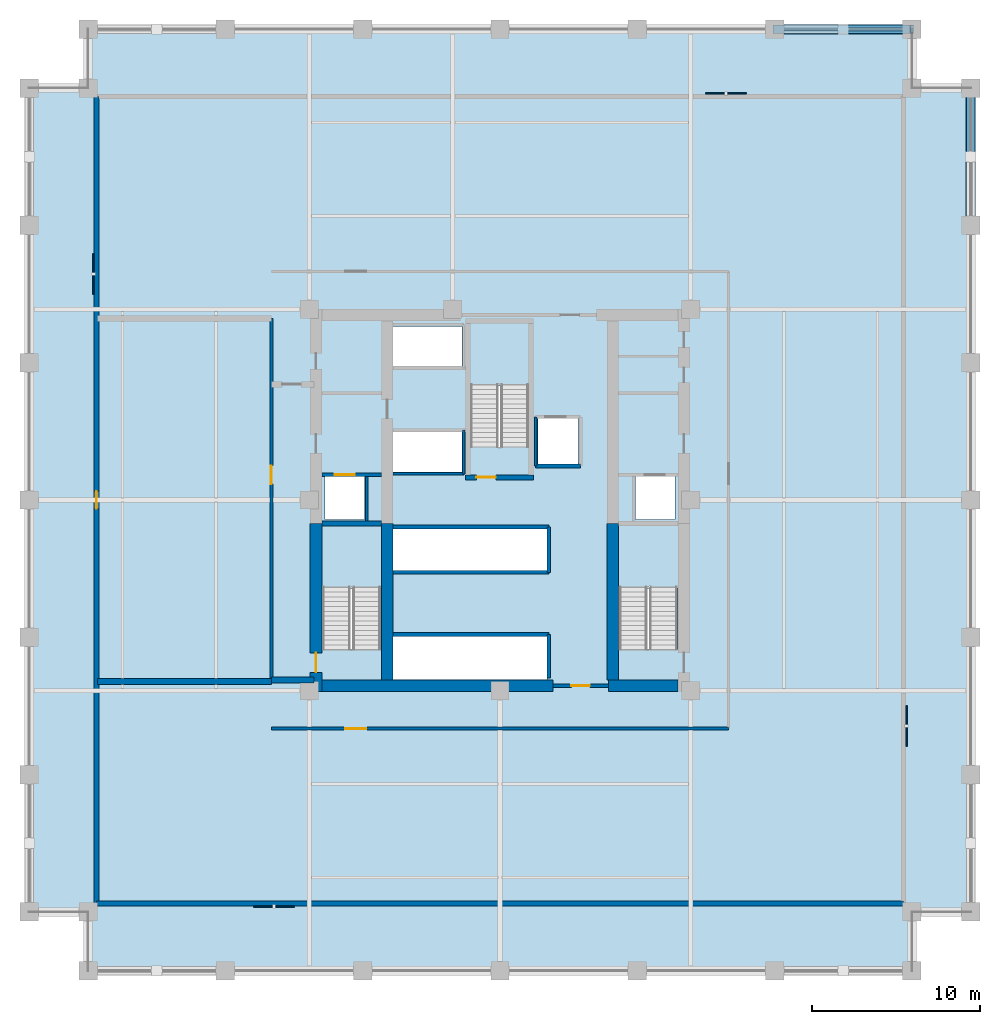
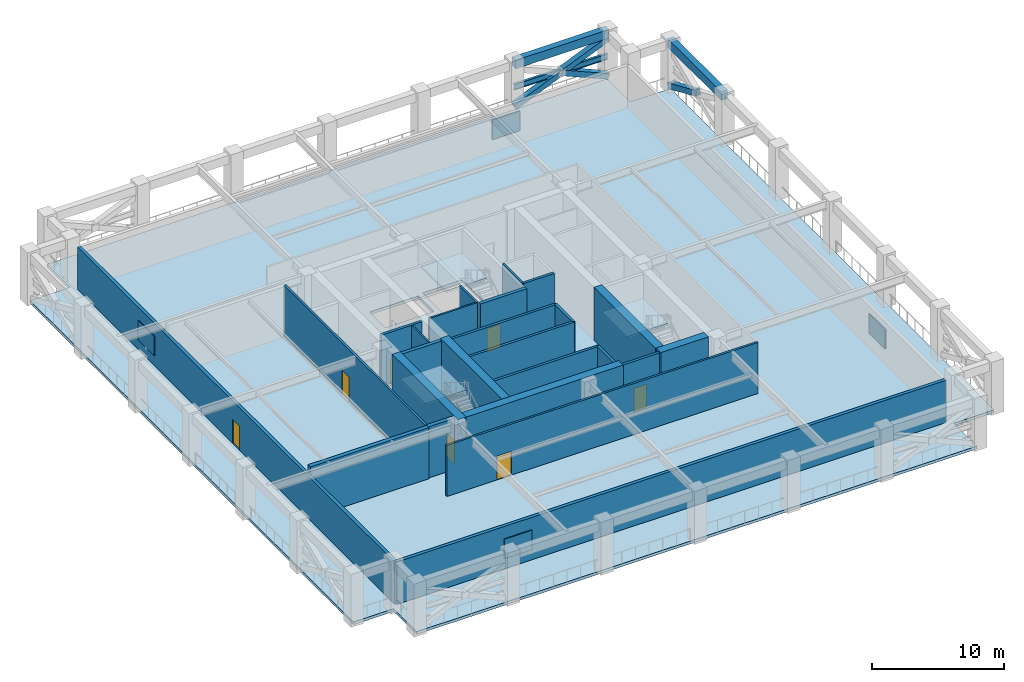
# One storey, part 2 of 11: 25 walls, 7 doors, 4 plates, 4 slabs, 3 beams, 3 members, 7 openings, 3 elements without a shape of their own.
"""IFC4 building model written with IfcOpenShell, lengths in metres."""

from ifc_helpers import new_model, si_unit, direction, frame, frame_2d, origin, origin_2d, place, context, subcontext, project, spatial, polyline, rectangle, hollow_rectangle, i_section, outline, extrude, material, layer, layer_set, material_profile, profile_set, type_object, element, fill, aggregate, save


model = new_model("IFC4")

# Units and contexts
model_context = context("Model", 3, precision=1e-05, world=origin(), true_north=direction((0.0, 1.0)))
body_context = subcontext(model_context, "Body", "Model", "MODEL_VIEW")
ifc_project = project(units=[si_unit("LENGTHUNIT", "METRE"), si_unit("AREAUNIT", "SQUARE_METRE"), si_unit("VOLUMEUNIT", "CUBIC_METRE"), si_unit("PLANEANGLEUNIT", "RADIAN"), si_unit("MASSUNIT", "GRAM", prefix="KILO")], contexts=[model_context])

# Site, building, storey
site_placement = place(None, origin())
site = spatial("IfcSite", under=ifc_project, at=site_placement, CompositionType="ELEMENT")
building_placement = place(site_placement, origin())
building = spatial("IfcBuilding", under=site, at=building_placement, Name="Nhamokura Convention Tower", CompositionType="ELEMENT")
storey_placement = place(building_placement, frame((0.0, 0.0, 77.35009765625)))
storey = spatial("IfcBuildingStorey", under=building, at=storey_placement, Name="L18", CompositionType="ELEMENT", Elevation=77.35009765625)

# Members
ifc_material_1 = material(Name="Steel ASTM A572 Gr 50", Category="steel")
ifc_material_profile_1 = material_profile(ifc_material_1, hollow_rectangle(XDim=0.5, YDim=0.5, WallThickness=0.02490234375, at=origin_2d()))
ifc_profile_set_1 = profile_set([ifc_material_profile_1], Name="Steel ASTM A572 Gr 50")
member_type = type_object("IfcMemberType", Name="OutriggerBrace_HSS500", PredefinedType="BRACE", material=ifc_profile_set_1)
member_placement = place(storey_placement, frame((48.333251953125, 60.0, 0.349853515625), z_axis=(0.918329419964, 0.0, 0.395816973395), x_axis=(0.0, 1.0, 0.0)))
element("IfcMember", 1, at=member_placement, inside=storey, type_object=member_type, Name="L18 Continuous Outrigger Diagonal OUT-N5-1", PredefinedType="BRACE", context=body_context, shape_type="SweptSolid", body=[
    extrude(hollow_rectangle(XDim=0.5, YDim=0.5, WallThickness=0.02490234375, at=origin_2d()), origin(), (0.0, 0.0, 1.0), 8.89306640625),
])
for number, where, z_axis, x_axis, name in (
    (2, (52.416748046875, 60.0, 2.10986328125), (0.918325118715, 0.0, -0.395826952515), (0.0, 1.0, 0.0), "L18 Split Outrigger Diagonal OUT-N5-2B"),
    (3, (60.0, 52.416748046875, 2.10986328125), (0.0, 0.918325118715, -0.395826952515), (-1.0, 0.0, 0.0), "L18 Split Outrigger Diagonal OUT-E5-2B"),
):
    element("IfcMember", number, at=place(storey_placement, frame(where, z_axis=z_axis, x_axis=x_axis)), inside=storey, type_object=member_type, Name=name, PredefinedType="BRACE", context=body_context, shape_type="SweptSolid", body=[
        extrude(hollow_rectangle(XDim=0.5, YDim=0.5, WallThickness=0.02490234375, at=origin_2d()), origin(), (0.0, 0.0, 1.0), 4.446533203125),
    ])

# Beams
ifc_material_2 = material(Name="Steel ASTM A992 Gr 50", Category="steel")
ifc_material_profile_2 = material_profile(ifc_material_2, i_section(OverallWidth=0.208984375, OverallDepth=0.532958984375, WebThickness=0.01025390625, FlangeThickness=0.015625, at=origin_2d()))
ifc_profile_set_2 = profile_set([ifc_material_profile_2], Name="Steel ASTM A992 Gr 50")
beam_type_1 = type_object("IfcBeamType", Name="PrimaryGirder_W530X92", PredefinedType="BEAM", material=ifc_profile_set_2)
beam_placement = place(storey_placement, frame((48.333251953125, 60.0, 2.10986328125), z_axis=(1.0, 0.0, 0.0), x_axis=(0.0, 1.0, 0.0)))
element("IfcBeam", 4, at=beam_placement, inside=storey, type_object=beam_type_1, Name="L18 Outrigger X-Brace Node Tie Beam OUT-N5", PredefinedType="BEAM", context=body_context, shape_type="SweptSolid", body=[
    extrude(i_section(OverallWidth=0.208984375, OverallDepth=0.532958984375, WebThickness=0.01025390625, FlangeThickness=0.015625, at=origin_2d()), origin(), (0.0, 0.0, 1.0), 8.166748046875),
])
ifc_material_3 = material(Name="Concrete C50/60", Category="concrete")
ifc_material_profile_3 = material_profile(ifc_material_3, rectangle(XDim=0.550048828125, YDim=0.800048828125, at=origin_2d()))
ifc_profile_set_3 = profile_set([ifc_material_profile_3], Name="Concrete C50/60")
beam_type_2 = type_object("IfcBeamType", Name="TubeSpandrel_800", PredefinedType="SPANDREL", material=ifc_profile_set_3)
for number, where, z_axis, x_axis, name in (
    (5, (48.333251953125, 60.0, 4.31982421875), (1.0, 0.0, 0.0), (0.0, 1.0, 0.0), "L18 Perimeter Spandrel NORTH 6"),
    (6, (60.0, 48.333251953125, 4.31982421875), (0.0, 1.0, 0.0), (-1.0, 0.0, 0.0), "L18 Perimeter Spandrel EAST 6"),
):
    element("IfcBeam", number, at=place(storey_placement, frame(where, z_axis=z_axis, x_axis=x_axis)), inside=storey, type_object=beam_type_2, Name=name, PredefinedType="SPANDREL", context=body_context, shape_type="SweptSolid", body=[
        extrude(rectangle(XDim=0.550048828125, YDim=0.800048828125, at=origin_2d()), origin(), (0.0, 0.0, 1.0), 8.166748046875),
    ])

# Plates
ifc_material_4 = material(Name="Anodised bronze aluminium AA6063-T6", Category="aluminium")
ifc_layer_1 = layer(ifc_material_4, 0.0849609375)
ifc_layer_set_1 = layer_set([ifc_layer_1], Name="AcousticLouvrePlate_1")
plate_type = type_object("IfcPlateType", Name="AcousticLouvrePlate_1", PredefinedType="USERDEFINED", material=ifc_layer_set_1)
for number, where, z_axis, x_axis, name in (
    (7, (18.56005859375, 7.8173828125, 1.0), (0.0, 0.0, 1.0), (-1.0, 0.0, 0.0), "L18 Plant Acoustic Louvre S"),
    (8, (56.1826171875, 18.56005859375, 1.0), (0.0, 0.0, 1.0), (0.0, -1.0, 0.0), "L18 Plant Acoustic Louvre E"),
    (9, (45.43994140625, 56.1826171875, 1.0), (0.0, 0.0, 1.0), (1.0, 0.0, 0.0), "L18 Plant Acoustic Louvre N"),
    (10, (7.8173828125, 45.43994140625, 1.0), (0.0, 0.0, 1.0), (0.0, 1.0, 0.0), "L18 Plant Acoustic Louvre W"),
):
    element("IfcPlate", number, at=place(storey_placement, frame(where, z_axis=z_axis, x_axis=x_axis)), inside=storey, type_object=plate_type, Name=name, ObjectType="ACOUSTIC_LOUVRE", PredefinedType="USERDEFINED", context=body_context, shape_type="SweptSolid", body=[
        extrude(rectangle(XDim=2.39990234375, YDim=0.0849609375, at=origin_2d()), origin(), (0.0, 0.0, 1.0), 1.800048828125),
    ])

# Slab
ifc_material_5 = material(Name="Concrete C40/50", Category="concrete")
ifc_layer_2 = layer(ifc_material_5, 0.260009765625)
ifc_layer_set_2 = layer_set([ifc_layer_2], Name="RefugePlantSlab_260")
slab_type_1 = type_object("IfcSlabType", Name="RefugePlantSlab_260", PredefinedType="FLOOR", material=ifc_layer_set_2)
slab_1_placement = place(storey_placement, frame((0.0, 0.0, -0.260009765625)))
element("IfcSlab", 11, at=slab_1_placement, inside=storey, type_object=slab_type_1, Name="L18 Structural Floor Slab", PredefinedType="FLOOR", context=body_context, shape_type="SweptSolid", body=[
    extrude(outline(polyline([(7.5, 4.0), (56.5, 4.0), (56.5, 7.5), (60.0, 7.5), (60.0, 56.5), (56.5, 56.5), (56.5, 60.0), (7.5, 60.0), (7.5, 56.5), (4.0, 56.5), (4.0, 7.5), (7.5, 7.5), (7.5, 4.0)]), holes=[polyline([(24.89990234375, 23.10009765625), (24.89990234375, 30.449951171875), (21.449951171875, 30.449951171875), (21.449951171875, 23.10009765625), (24.89990234375, 23.10009765625)]), polyline([(42.550048828125, 23.10009765625), (42.550048828125, 30.449951171875), (39.10009765625, 30.449951171875), (39.10009765625, 23.10009765625), (42.550048828125, 23.10009765625)]), polyline([(33.699951171875, 35.14990234375), (33.699951171875, 42.5), (30.25, 42.5), (30.25, 35.14990234375), (33.699951171875, 35.14990234375)]), polyline([(21.60009765625, 30.85009765625), (23.949951171875, 30.85009765625), (23.949951171875, 33.39990234375), (21.60009765625, 33.39990234375), (21.60009765625, 30.85009765625)]), polyline([(40.050048828125, 30.85009765625), (42.39990234375, 30.85009765625), (42.39990234375, 33.39990234375), (40.050048828125, 33.39990234375), (40.050048828125, 30.85009765625)]), polyline([(34.25, 34.14990234375), (36.64990234375, 34.14990234375), (36.64990234375, 36.85009765625), (34.25, 36.85009765625), (34.25, 34.14990234375)]), polyline([(25.52001953125, 21.320068359375), (34.800048828125, 21.320068359375), (34.800048828125, 23.89990234375), (25.52001953125, 23.89990234375), (25.52001953125, 21.320068359375)]), polyline([(25.52001953125, 27.800048828125), (34.800048828125, 27.800048828125), (34.800048828125, 30.300048828125), (25.52001953125, 30.300048828125), (25.52001953125, 27.800048828125)]), polyline([(25.52001953125, 33.679931640625), (29.75, 33.679931640625), (29.75, 36.050048828125), (25.52001953125, 36.050048828125), (25.52001953125, 33.679931640625)]), polyline([(25.52001953125, 39.949951171875), (29.75, 39.949951171875), (29.75, 42.320068359375), (25.52001953125, 42.320068359375), (25.52001953125, 39.949951171875)])]), origin(), (0.0, 0.0, 1.0), 0.260009765625),
])

# Stair, slab
ifc_material_6 = material(Name="Concrete C40/50", Category="concrete")
stair_type = type_object("IfcStairType", Name="TowerCoreStair_1650", PredefinedType="HALF_TURN_STAIR", material=ifc_material_6)
stair_1_placement = place(storey_placement, origin())
stair_1 = element("IfcStair", 12, at=stair_1_placement, inside=storey, type_object=stair_type, Name="L18 West Core Smokeproof Stair ST-01", PredefinedType="HALF_TURN_STAIR")
ifc_material_7 = material(Name="Concrete C40/50", Category="concrete")
ifc_layer_3 = layer(ifc_material_7, 0.199951171875)
ifc_layer_set_3 = layer_set([ifc_layer_3], Name="StairLandingSlab_200")
slab_type_2 = type_object("IfcSlabType", Name="StairLandingSlab_200", PredefinedType="LANDING", material=ifc_layer_set_3)
slab_2_placement = place(storey_placement, frame((0.0, 0.0, 2.25)))
slab_2 = element("IfcSlab", 13, at=slab_2_placement, type_object=slab_type_2, Name="ST-01 landing 1", PredefinedType="LANDING", context=body_context, shape_type="SweptSolid", body=[
    extrude(outline(polyline([(24.97998046875, 26.72509765625), (24.97998046875, 30.530029296875), (21.3701171875, 30.530029296875), (21.3701171875, 26.72509765625), (24.97998046875, 26.72509765625)])), origin(), (0.0, 0.0, 1.0), 0.199951171875),
])
aggregate(stair_1, [slab_2])

stair_2_placement = place(storey_placement, origin())
stair_2 = element("IfcStair", 14, at=stair_2_placement, inside=storey, type_object=stair_type, Name="L18 East Core Smokeproof Stair ST-02", PredefinedType="HALF_TURN_STAIR")
slab_3_placement = place(storey_placement, frame((0.0, 0.0, 2.25)))
slab_3 = element("IfcSlab", 15, at=slab_3_placement, type_object=slab_type_2, Name="ST-02 landing 1", PredefinedType="LANDING", context=body_context, shape_type="SweptSolid", body=[
    extrude(outline(polyline([(42.6298828125, 26.72509765625), (42.6298828125, 30.530029296875), (39.02001953125, 30.530029296875), (39.02001953125, 26.72509765625), (42.6298828125, 26.72509765625)])), origin(), (0.0, 0.0, 1.0), 0.199951171875),
])
aggregate(stair_2, [slab_3])

stair_3_placement = place(storey_placement, origin())
stair_3 = element("IfcStair", 16, at=stair_3_placement, inside=storey, type_object=stair_type, Name="L18 North Core Smokeproof Stair ST-03", PredefinedType="HALF_TURN_STAIR")
slab_4_placement = place(storey_placement, frame((0.0, 0.0, 2.25)))
slab_4 = element("IfcSlab", 17, at=slab_4_placement, type_object=slab_type_2, Name="ST-03 landing 1", PredefinedType="LANDING", context=body_context, shape_type="SweptSolid", body=[
    extrude(outline(polyline([(33.780029296875, 38.77490234375), (33.780029296875, 42.580078125), (30.169921875, 42.580078125), (30.169921875, 38.77490234375), (33.780029296875, 38.77490234375)])), origin(), (0.0, 0.0, 1.0), 0.199951171875),
])
aggregate(stair_3, [slab_4])

# Wall
ifc_material_8 = material(Name="Bronze-pigmented precast concrete C45/55", Category="concrete")
ifc_layer_4 = layer(ifc_material_8, 0.280029296875)
ifc_layer_set_4 = layer_set([ifc_layer_4], Name="BronzePrecastSpandrel_280")
wall_type_1 = type_object("IfcWallType", Name="BronzePrecastSpandrel_280", PredefinedType="USERDEFINED", material=ifc_layer_set_4)
wall_1_placement = place(storey_placement, frame((56.0, 8.0, 0.0), z_axis=(0.0, 0.0, 1.0), x_axis=(-1.0, 0.0, 0.0)))
element("IfcWall", 18, at=wall_1_placement, inside=storey, type_object=wall_type_1, Name="L18 Refuge Deck Enclosure Wall S", ObjectType="SPANDREL_WALL", PredefinedType="USERDEFINED", context=body_context, shape_type="SweptSolid", body=[
    extrude(rectangle(XDim=48.0, YDim=0.280029296875, at=frame_2d((24.0, 0.0))), origin(), (0.0, 0.0, 1.0), 3.919921875),
])

# Wall, opening, door
wall_2_placement = place(storey_placement, frame((8.0, 8.0, 0.0), z_axis=(0.0, 0.0, 1.0), x_axis=(0.0, 1.0, 0.0)))
wall_2 = element("IfcWall", 19, at=wall_2_placement, inside=storey, type_object=wall_type_1, Name="L18 Refuge Deck Enclosure Wall W", ObjectType="SPANDREL_WALL", PredefinedType="USERDEFINED", context=body_context, shape_type="SweptSolid", body=[
    extrude(rectangle(XDim=48.0, YDim=0.280029296875, at=frame_2d((24.0, 0.0))), origin(), (0.0, 0.0, 1.0), 3.919921875),
])
opening_1_placement = place(wall_2_placement, frame((23.47509765625, 0.0, 0.0)))
opening_1 = element("IfcOpeningElement", 20, at=opening_1_placement, cuts=wall_2, Name="Opening D-06", PredefinedType="OPENING", context=body_context, shape_type="SweptSolid", body=[
    extrude(rectangle(XDim=1.050048828125, YDim=2.199951171875, at=frame_2d((0.52490234375, 1.10009765625))), frame((0.0, 0.14990234375, 0.0), z_axis=(0.0, -1.0, 0.0), x_axis=(1.0, 0.0, 0.0)), (0.0, 0.0, 1.0), 0.300048828125),
])
ifc_material_9 = material(Name="Anodised bronze aluminium AA6063-T6", Category="aluminium")
door_type_1 = type_object("IfcDoorType", Name="TerraceAccessDoor_1050", OperationType="NOTDEFINED", PredefinedType="DOOR", material=ifc_material_9)
door_1_placement = place(opening_1_placement, origin())
door_1 = element("IfcDoor", 21, at=door_1_placement, inside=storey, type_object=door_type_1, Name="L18 Refuge Deck Access Door W", OperationType="SINGLE_SWING_RIGHT", OverallHeight=2.199951171875, OverallWidth=1.050048828125, PredefinedType="DOOR", context=body_context, shape_type="SweptSolid", body=[
    extrude(rectangle(XDim=1.050048828125, YDim=2.199951171875, at=frame_2d((0.52490234375, 1.10009765625))), frame((0.0, 0.02490234375, 0.0), z_axis=(0.0, -1.0, 0.0), x_axis=(1.0, 0.0, 0.0)), (0.0, 0.0, 1.0), 0.050048828125),
])
fill(opening_1, door_1)

ifc_material_10 = material(Name="Concrete C70/85", Category="concrete")
ifc_layer_5 = layer(ifc_material_10, 0.699951171875)
ifc_layer_set_5 = layer_set([ifc_layer_5], Name="CoreShearWall_700")
wall_type_2 = type_object("IfcWallType", Name="CoreShearWall_700", PredefinedType="SHEAR", material=ifc_layer_set_5)
wall_3_placement = place(storey_placement, frame((21.06005859375, 20.60009765625, 0.0), z_axis=(0.0, 0.0, 1.0), x_axis=(0.0, 1.0, 0.0)))
wall_3 = element("IfcWall", 22, at=wall_3_placement, inside=storey, type_object=wall_type_2, Name="L18 Core Shear Wall CW-WS", PredefinedType="SHEAR", context=body_context, shape_type="SweptSolid", body=[
    extrude(rectangle(XDim=10.0, YDim=0.699951171875, at=frame_2d((5.0, 0.0))), origin(), (0.0, 0.0, 1.0), 4.89990234375),
])
opening_2_placement = place(wall_3_placement, frame((1.14990234375, 0.0, 0.0)))
opening_2 = element("IfcOpeningElement", 23, at=opening_2_placement, cuts=wall_3, Name="Opening D-04", PredefinedType="OPENING", context=body_context, shape_type="SweptSolid", body=[
    extrude(rectangle(XDim=1.14990234375, YDim=2.14990234375, at=frame_2d((0.574951171875, 1.074951171875))), frame((0.0, 0.35986328125, 0.0), z_axis=(0.0, -1.0, 0.0), x_axis=(1.0, 0.0, 0.0)), (0.0, 0.0, 1.0), 0.719970703125),
])
ifc_material_11 = material(Name="Fire-rated steel door", Category="steel")
door_type_2 = type_object("IfcDoorType", Name="StairSmokeDoor_1150", OperationType="NOTDEFINED", PredefinedType="DOOR", material=ifc_material_11)
door_2_placement = place(opening_2_placement, origin())
door_2 = element("IfcDoor", 24, at=door_2_placement, inside=storey, type_object=door_type_2, Name="L18 Core Door INT-L18-D-ST01", OperationType="SINGLE_SWING_LEFT", OverallHeight=2.14990234375, OverallWidth=1.14990234375, PredefinedType="DOOR", context=body_context, shape_type="SweptSolid", body=[
    extrude(rectangle(XDim=1.14990234375, YDim=2.14990234375, at=frame_2d((0.574951171875, 1.074951171875))), frame((0.0, 0.02490234375, 0.0), z_axis=(0.0, -1.0, 0.0), x_axis=(1.0, 0.0, 0.0)), (0.0, 0.0, 1.0), 0.050048828125),
])
fill(opening_2, door_2)

# Walls
wall_4_placement = place(storey_placement, frame((21.409912109375, 20.949951171875, 0.0), z_axis=(0.0, 0.0, 1.0), x_axis=(1.0, 0.0, 0.0)))
element("IfcWall", 25, at=wall_4_placement, inside=storey, type_object=wall_type_2, Name="L18 Core Shear Wall CW-S1", PredefinedType="SHEAR", context=body_context, shape_type="SweptSolid", body=[
    extrude(rectangle(XDim=13.739990234375, YDim=0.699951171875, at=frame_2d((6.8701171875, 0.0))), origin(), (0.0, 0.0, 1.0), 4.89990234375),
])
wall_5_placement = place(storey_placement, frame((38.449951171875, 20.949951171875, 0.0), z_axis=(0.0, 0.0, 1.0), x_axis=(1.0, 0.0, 0.0)))
element("IfcWall", 26, at=wall_5_placement, inside=storey, type_object=wall_type_2, Name="L18 Core Shear Wall CW-S2", PredefinedType="SHEAR", context=body_context, shape_type="SweptSolid", body=[
    extrude(rectangle(XDim=4.14013671875, YDim=0.699951171875, at=frame_2d((2.070068359375, 0.0))), origin(), (0.0, 0.0, 1.0), 4.89990234375),
])
for number, where, z_axis, x_axis, name in (
    (27, (25.2900390625, 21.300048828125, 0.0), (0.0, 0.0, 1.0), (0.0, 1.0, 0.0), "L18 Core Shear Wall CW-IWS"),
    (28, (38.7099609375, 21.300048828125, 0.0), (0.0, 0.0, 1.0), (0.0, 1.0, 0.0), "L18 Core Shear Wall CW-IES"),
):
    element("IfcWall", number, at=place(storey_placement, frame(where, z_axis=z_axis, x_axis=x_axis)), inside=storey, type_object=wall_type_2, Name=name, PredefinedType="SHEAR", context=body_context, shape_type="SweptSolid", body=[
        extrude(rectangle(XDim=9.300048828125, YDim=0.699951171875, at=frame_2d((4.64990234375, 0.0))), origin(), (0.0, 0.0, 1.0), 4.89990234375),
    ])

# Wall, opening, door
ifc_material_12 = material(Name="Fire-rated gypsum and masonry partition", Category="masonry")
ifc_layer_6 = layer(ifc_material_12, 0.179931640625)
ifc_layer_set_6 = layer_set([ifc_layer_6], Name="CorridorRatedWall_180")
wall_type_3 = type_object("IfcWallType", Name="CorridorRatedWall_180", PredefinedType="STANDARD", material=ifc_layer_set_6)
wall_6_placement = place(storey_placement, frame((18.39990234375, 18.39990234375, 0.0), z_axis=(0.0, 0.0, 1.0), x_axis=(1.0, 0.0, 0.0)))
wall_6 = element("IfcWall", 29, at=wall_6_placement, inside=storey, type_object=wall_type_3, Name="L18 Wall INT-L18-CW-S00", PredefinedType="STANDARD", context=body_context, shape_type="SweptSolid", body=[
    extrude(rectangle(XDim=27.2001953125, YDim=0.179931640625, at=frame_2d((13.60009765625, 0.0))), origin(), (0.0, 0.0, 1.0), 4.719970703125),
])
opening_3_placement = place(wall_6_placement, frame((4.39990234375, 0.0, 0.0)))
opening_3 = element("IfcOpeningElement", 30, at=opening_3_placement, cuts=wall_6, Name="Opening D-12", PredefinedType="OPENING", context=body_context, shape_type="SweptSolid", body=[
    extrude(rectangle(XDim=1.25, YDim=2.199951171875, at=frame_2d((0.625, 1.10009765625))), frame((0.0, 0.099853515625, 0.0), z_axis=(0.0, -1.0, 0.0), x_axis=(1.0, 0.0, 0.0)), (0.0, 0.0, 1.0), 0.199951171875),
])
ifc_material_13 = material(Name="Fire-rated steel door", Category="steel")
door_type_3 = type_object("IfcDoorType", Name="PlantServiceDoor_1250", OperationType="NOTDEFINED", PredefinedType="DOOR", material=ifc_material_13)
door_3_placement = place(opening_3_placement, origin())
door_3 = element("IfcDoor", 31, at=door_3_placement, inside=storey, type_object=door_type_3, Name="L18 Smoke Pressurisation Plant S01 Door", OperationType="SINGLE_SWING_LEFT", OverallHeight=2.199951171875, OverallWidth=1.25, PredefinedType="DOOR", context=body_context, shape_type="SweptSolid", body=[
    extrude(rectangle(XDim=1.25, YDim=2.199951171875, at=frame_2d((0.625, 1.10009765625))), frame((0.0, 0.02490234375, 0.0), z_axis=(0.0, -1.0, 0.0), x_axis=(1.0, 0.0, 0.0)), (0.0, 0.0, 1.0), 0.050048828125),
])
fill(opening_3, door_3)

wall_7_placement = place(storey_placement, frame((18.39990234375, 21.199951171875, 0.0), z_axis=(0.0, 0.0, 1.0), x_axis=(0.0, 1.0, 0.0)))
wall_7 = element("IfcWall", 32, at=wall_7_placement, inside=storey, type_object=wall_type_3, Name="L18 Wall INT-L18-CW-W00", PredefinedType="STANDARD", context=body_context, shape_type="SweptSolid", body=[
    extrude(rectangle(XDim=21.60009765625, YDim=0.179931640625, at=frame_2d((10.800048828125, 0.0))), origin(), (0.0, 0.0, 1.0), 4.719970703125),
])
opening_4_placement = place(wall_7_placement, frame((11.75, 0.0, 0.0)))
opening_4 = element("IfcOpeningElement", 33, at=opening_4_placement, cuts=wall_7, Name="Opening D-05", PredefinedType="OPENING", context=body_context, shape_type="SweptSolid", body=[
    extrude(rectangle(XDim=1.10009765625, YDim=2.14990234375, at=frame_2d((0.550048828125, 1.074951171875))), frame((0.0, 0.099853515625, 0.0), z_axis=(0.0, -1.0, 0.0), x_axis=(1.0, 0.0, 0.0)), (0.0, 0.0, 1.0), 0.199951171875),
])
ifc_material_14 = material(Name="Fire-rated steel door", Category="steel")
door_type_4 = type_object("IfcDoorType", Name="FireLobbyDoor_1100", OperationType="NOTDEFINED", PredefinedType="DOOR", material=ifc_material_14)
door_4_placement = place(opening_4_placement, origin())
door_4 = element("IfcDoor", 34, at=door_4_placement, inside=storey, type_object=door_type_4, Name="L18 Designated Fire Refuge Area W01 Door", OperationType="SINGLE_SWING_LEFT", OverallHeight=2.14990234375, OverallWidth=1.10009765625, PredefinedType="DOOR", context=body_context, shape_type="SweptSolid", body=[
    extrude(rectangle(XDim=1.10009765625, YDim=2.14990234375, at=frame_2d((0.550048828125, 1.074951171875))), frame((0.0, 0.02490234375, 0.0), z_axis=(0.0, -1.0, 0.0), x_axis=(1.0, 0.0, 0.0)), (0.0, 0.0, 1.0), 0.050048828125),
])
fill(opening_4, door_4)

ifc_material_15 = material(Name="Autoclaved concrete blockwork", Category="masonry")
ifc_layer_7 = layer(ifc_material_15, 0.219970703125)
ifc_layer_set_7 = layer_set([ifc_layer_7], Name="FireLobbyWall_220")
wall_type_4 = type_object("IfcWallType", Name="FireLobbyWall_220", PredefinedType="STANDARD", material=ifc_layer_set_7)
wall_8_placement = place(storey_placement, frame((21.409912109375, 33.5, 0.0), z_axis=(0.0, 0.0, 1.0), x_axis=(1.0, 0.0, 0.0)))
wall_8 = element("IfcWall", 35, at=wall_8_placement, inside=storey, type_object=wall_type_4, Name="L18 Wall INT-L18-FFW-S", PredefinedType="STANDARD", context=body_context, shape_type="SweptSolid", body=[
    extrude(rectangle(XDim=3.530029296875, YDim=0.219970703125, at=frame_2d((1.76513671875, 0.0))), origin(), (0.0, 0.0, 1.0), 4.719970703125),
])
opening_5_placement = place(wall_8_placement, frame((0.75, 0.0, 0.0)))
opening_5 = element("IfcOpeningElement", 36, at=opening_5_placement, cuts=wall_8, Name="Opening LD-02", PredefinedType="OPENING", context=body_context, shape_type="SweptSolid", body=[
    extrude(rectangle(XDim=1.199951171875, YDim=2.199951171875, at=frame_2d((0.60009765625, 1.10009765625))), frame((0.0, 0.119873046875, 0.0), z_axis=(0.0, -1.0, 0.0), x_axis=(1.0, 0.0, 0.0)), (0.0, 0.0, 1.0), 0.239990234375),
])
ifc_material_16 = material(Name="Anodised bronze stainless steel", Category="steel")
door_type_5 = type_object("IfcDoorType", Name="LiftLandingDoor_FireService", OperationType="DOUBLE_DOOR_SLIDING", PredefinedType="DOOR", material=ifc_material_16)
door_5_placement = place(opening_5_placement, origin())
door_5 = element("IfcDoor", 37, at=door_5_placement, inside=storey, type_object=door_type_5, Name="L18 Firefighting Lift LF-01 Door", OperationType="DOUBLE_DOOR_SLIDING", OverallHeight=2.199951171875, OverallWidth=1.199951171875, PredefinedType="DOOR", context=body_context, shape_type="SweptSolid", body=[
    extrude(rectangle(XDim=1.199951171875, YDim=2.199951171875, at=frame_2d((0.60009765625, 1.10009765625))), frame((0.0, 0.02490234375, 0.0), z_axis=(0.0, -1.0, 0.0), x_axis=(1.0, 0.0, 0.0)), (0.0, 0.0, 1.0), 0.050048828125),
])
fill(opening_5, door_5)

wall_9_placement = place(storey_placement, frame((35.14990234375, 20.949951171875, 0.0), z_axis=(0.0, 0.0, 1.0), x_axis=(1.0, 0.0, 0.0)))
wall_9 = element("IfcWall", 38, at=wall_9_placement, inside=storey, type_object=wall_type_4, Name="L18 Wall INT-L18-SPORT-S", PredefinedType="STANDARD", context=body_context, shape_type="SweptSolid", body=[
    extrude(rectangle(XDim=3.300048828125, YDim=0.219970703125, at=frame_2d((1.64990234375, 0.0))), origin(), (0.0, 0.0, 1.0), 4.719970703125),
])
opening_6_placement = place(wall_9_placement, frame((1.10009765625, 0.0, 0.0)))
opening_6 = element("IfcOpeningElement", 39, at=opening_6_placement, cuts=wall_9, Name="Opening D-05", PredefinedType="OPENING", context=body_context, shape_type="SweptSolid", body=[
    extrude(rectangle(XDim=1.10009765625, YDim=2.14990234375, at=frame_2d((0.550048828125, 1.074951171875))), frame((0.0, 0.119873046875, 0.0), z_axis=(0.0, -1.0, 0.0), x_axis=(1.0, 0.0, 0.0)), (0.0, 0.0, 1.0), 0.239990234375),
])
door_6_placement = place(opening_6_placement, origin())
door_6 = element("IfcDoor", 40, at=door_6_placement, inside=storey, type_object=door_type_4, Name="L18 South Core Lobby Portal Door", OperationType="SINGLE_SWING_LEFT", OverallHeight=2.14990234375, OverallWidth=1.10009765625, PredefinedType="DOOR", context=body_context, shape_type="SweptSolid", body=[
    extrude(rectangle(XDim=1.10009765625, YDim=2.14990234375, at=frame_2d((0.550048828125, 1.074951171875))), frame((0.0, 0.02490234375, 0.0), z_axis=(0.0, -1.0, 0.0), x_axis=(1.0, 0.0, 0.0)), (0.0, 0.0, 1.0), 0.050048828125),
])
fill(opening_6, door_6)

# Walls
wall_10_placement = place(storey_placement, frame((25.64990234375, 24.0, 0.0), z_axis=(0.0, 0.0, 1.0), x_axis=(1.0, 0.0, 0.0)))
element("IfcWall", 41, at=wall_10_placement, inside=storey, type_object=wall_type_4, Name="L18 Wall INT-L18-B1N", PredefinedType="STANDARD", context=body_context, shape_type="SweptSolid", body=[
    extrude(rectangle(XDim=9.25, YDim=0.219970703125, at=frame_2d((4.625, 0.0))), origin(), (0.0, 0.0, 1.0), 4.719970703125),
])
wall_11_placement = place(storey_placement, frame((34.89990234375, 21.39990234375, 0.0), z_axis=(0.0, 0.0, 1.0), x_axis=(0.0, 1.0, 0.0)))
element("IfcWall", 42, at=wall_11_placement, inside=storey, type_object=wall_type_4, Name="L18 Wall INT-L18-B1E", PredefinedType="STANDARD", context=body_context, shape_type="SweptSolid", body=[
    extrude(rectangle(XDim=2.60009765625, YDim=0.219970703125, at=frame_2d((1.300048828125, 0.0))), origin(), (0.0, 0.0, 1.0), 4.719970703125),
])
for number, where, z_axis, x_axis, name in (
    (43, (25.64990234375, 27.699951171875, 0.0), (0.0, 0.0, 1.0), (1.0, 0.0, 0.0), "L18 Wall INT-L18-B2S"),
    (44, (25.64990234375, 30.39990234375, 0.0), (0.0, 0.0, 1.0), (1.0, 0.0, 0.0), "L18 Wall INT-L18-B2N"),
):
    element("IfcWall", number, at=place(storey_placement, frame(where, z_axis=z_axis, x_axis=x_axis)), inside=storey, type_object=wall_type_4, Name=name, PredefinedType="STANDARD", context=body_context, shape_type="SweptSolid", body=[
        extrude(rectangle(XDim=9.25, YDim=0.219970703125, at=frame_2d((4.625, 0.0))), origin(), (0.0, 0.0, 1.0), 4.719970703125),
    ])
wall_12_placement = place(storey_placement, frame((34.89990234375, 27.699951171875, 0.0), z_axis=(0.0, 0.0, 1.0), x_axis=(0.0, 1.0, 0.0)))
element("IfcWall", 45, at=wall_12_placement, inside=storey, type_object=wall_type_4, Name="L18 Wall INT-L18-B2E", PredefinedType="STANDARD", context=body_context, shape_type="SweptSolid", body=[
    extrude(rectangle(XDim=2.699951171875, YDim=0.219970703125, at=frame_2d((1.35009765625, 0.0))), origin(), (0.0, 0.0, 1.0), 4.719970703125),
])
wall_13_placement = place(storey_placement, frame((34.1201171875, 34.02001953125, 0.0), z_axis=(0.0, 0.0, 1.0), x_axis=(1.0, 0.0, 0.0)))
element("IfcWall", 46, at=wall_13_placement, inside=storey, type_object=wall_type_4, Name="L18 Wall INT-L18-LSS", PredefinedType="STANDARD", context=body_context, shape_type="SweptSolid", body=[
    extrude(rectangle(XDim=2.679931640625, YDim=0.219970703125, at=frame_2d((1.33984375, 0.0))), origin(), (0.0, 0.0, 1.0), 4.719970703125),
])
ifc_material_17 = material(Name="Concrete C50/60", Category="concrete")
ifc_layer_8 = layer(ifc_material_17, 0.35009765625)
ifc_layer_set_8 = layer_set([ifc_layer_8], Name="FirewallPlant_350")
wall_type_5 = type_object("IfcWallType", Name="FirewallPlant_350", PredefinedType="STANDARD", material=ifc_layer_set_8)
wall_14_placement = place(storey_placement, frame((18.39990234375, 21.300048828125, 0.0), z_axis=(0.0, 0.0, 1.0), x_axis=(1.0, 0.0, 0.0)))
element("IfcWall", 47, at=wall_14_placement, inside=storey, type_object=wall_type_5, Name="L18 Wall INT-L18-RLOB-S", PredefinedType="STANDARD", context=body_context, shape_type="SweptSolid", body=[
    extrude(rectangle(XDim=2.550048828125, YDim=0.35009765625, at=frame_2d((1.27490234375, 0.0))), origin(), (0.0, 0.0, 1.0), 4.719970703125),
])
wall_15_placement = place(storey_placement, frame((8.050048828125, 21.199951171875, 0.0), z_axis=(0.0, 0.0, 1.0), x_axis=(1.0, 0.0, 0.0)))
element("IfcWall", 48, at=wall_15_placement, inside=storey, type_object=wall_type_5, Name="L18 Wall INT-L18-RWB-W", PredefinedType="STANDARD", context=body_context, shape_type="SweptSolid", body=[
    extrude(rectangle(XDim=10.349853515625, YDim=0.35009765625, at=frame_2d((5.1748046875, 0.0))), origin(), (0.0, 0.0, 1.0), 4.719970703125),
])
ifc_material_18 = material(Name="Acoustic gypsum stud partition", Category="masonry")
ifc_layer_9 = layer(ifc_material_18, 0.14990234375)
ifc_layer_set_9 = layer_set([ifc_layer_9], Name="InteriorPartition_150")
wall_type_6 = type_object("IfcWallType", Name="InteriorPartition_150", PredefinedType="STANDARD", material=ifc_layer_set_9)
wall_16_placement = place(storey_placement, frame((24.080078125, 30.75, 0.0), z_axis=(0.0, 0.0, 1.0), x_axis=(0.0, 1.0, 0.0)))
element("IfcWall", 49, at=wall_16_placement, inside=storey, type_object=wall_type_6, Name="L18 Wall INT-L18-FF1-E", PredefinedType="STANDARD", context=body_context, shape_type="SweptSolid", body=[
    extrude(rectangle(XDim=2.64990234375, YDim=0.14990234375, at=frame_2d((1.324951171875, 0.0))), origin(), (0.0, 0.0, 1.0), 4.719970703125),
])
wall_17_placement = place(storey_placement, frame((25.64990234375, 33.550048828125, 0.0), z_axis=(0.0, 0.0, 1.0), x_axis=(1.0, 0.0, 0.0)))
element("IfcWall", 50, at=wall_17_placement, inside=storey, type_object=wall_type_6, Name="L18 Wall INT-L18-B3A-S", PredefinedType="STANDARD", context=body_context, shape_type="SweptSolid", body=[
    extrude(rectangle(XDim=4.2001953125, YDim=0.14990234375, at=frame_2d((2.10009765625, 0.0))), origin(), (0.0, 0.0, 1.0), 4.719970703125),
])
wall_18_placement = place(storey_placement, frame((29.85009765625, 33.550048828125, 0.0), z_axis=(0.0, 0.0, 1.0), x_axis=(0.0, 1.0, 0.0)))
element("IfcWall", 51, at=wall_18_placement, inside=storey, type_object=wall_type_6, Name="L18 Wall INT-L18-B3A-E", PredefinedType="STANDARD", context=body_context, shape_type="SweptSolid", body=[
    extrude(rectangle(XDim=2.599853515625, YDim=0.14990234375, at=frame_2d((1.2998046875, 0.0))), origin(), (0.0, 0.0, 1.0), 4.719970703125),
])
wall_19_placement = place(storey_placement, frame((34.1201171875, 34.02001953125, 0.0), z_axis=(0.0, 0.0, 1.0), x_axis=(0.0, 1.0, 0.0)))
element("IfcWall", 52, at=wall_19_placement, inside=storey, type_object=wall_type_6, Name="L18 Wall INT-L18-LSW", PredefinedType="STANDARD", context=body_context, shape_type="SweptSolid", body=[
    extrude(rectangle(XDim=2.929931640625, YDim=0.14990234375, at=frame_2d((1.46484375, 0.0))), origin(), (0.0, 0.0, 1.0), 4.719970703125),
])
ifc_material_19 = material(Name="Concrete C50/60", Category="concrete")
ifc_layer_10 = layer(ifc_material_19, 0.300048828125)
ifc_layer_set_10 = layer_set([ifc_layer_10], Name="ShaftEnclosureWall_300")
wall_type_7 = type_object("IfcWallType", Name="ShaftEnclosureWall_300", PredefinedType="SHEAR", material=ifc_layer_set_10)
wall_20_placement = place(storey_placement, frame((21.409912109375, 30.60009765625, 0.0), z_axis=(0.0, 0.0, 1.0), x_axis=(1.0, 0.0, 0.0)))
element("IfcWall", 53, at=wall_20_placement, inside=storey, type_object=wall_type_7, Name="L18 Wall INT-L18-ST01-N", PredefinedType="SHEAR", context=body_context, shape_type="SweptSolid", body=[
    extrude(rectangle(XDim=3.530029296875, YDim=0.300048828125, at=frame_2d((1.76513671875, 0.0))), origin(), (0.0, 0.0, 1.0), 4.719970703125),
])

# Wall, opening, door
wall_21_placement = place(storey_placement, frame((29.949951171875, 33.35009765625, 0.0), z_axis=(0.0, 0.0, 1.0), x_axis=(1.0, 0.0, 0.0)))
wall_21 = element("IfcWall", 54, at=wall_21_placement, inside=storey, type_object=wall_type_7, Name="L18 Wall INT-L18-ST03S", PredefinedType="SHEAR", context=body_context, shape_type="SweptSolid", body=[
    extrude(rectangle(XDim=4.050048828125, YDim=0.300048828125, at=frame_2d((2.02490234375, 0.0))), origin(), (0.0, 0.0, 1.0), 4.719970703125),
])
opening_7_placement = place(wall_21_placement, frame((0.64990234375, 0.0, 0.0)))
opening_7 = element("IfcOpeningElement", 55, at=opening_7_placement, cuts=wall_21, Name="Opening D-04", PredefinedType="OPENING", context=body_context, shape_type="SweptSolid", body=[
    extrude(rectangle(XDim=1.14990234375, YDim=2.14990234375, at=frame_2d((0.574951171875, 1.074951171875))), frame((0.0, 0.159912109375, 0.0), z_axis=(0.0, -1.0, 0.0), x_axis=(1.0, 0.0, 0.0)), (0.0, 0.0, 1.0), 0.320068359375),
])
door_7_placement = place(opening_7_placement, origin())
door_7 = element("IfcDoor", 56, at=door_7_placement, inside=storey, type_object=door_type_2, Name="L18 Stair ST-03 Smoke Door", OperationType="SINGLE_SWING_LEFT", OverallHeight=2.14990234375, OverallWidth=1.14990234375, PredefinedType="DOOR", context=body_context, shape_type="SweptSolid", body=[
    extrude(rectangle(XDim=1.14990234375, YDim=2.14990234375, at=frame_2d((0.574951171875, 1.074951171875))), frame((0.0, 0.02490234375, 0.0), z_axis=(0.0, -1.0, 0.0), x_axis=(1.0, 0.0, 0.0)), (0.0, 0.0, 1.0), 0.050048828125),
])
fill(opening_7, door_7)

save(model, "model.ifc")
